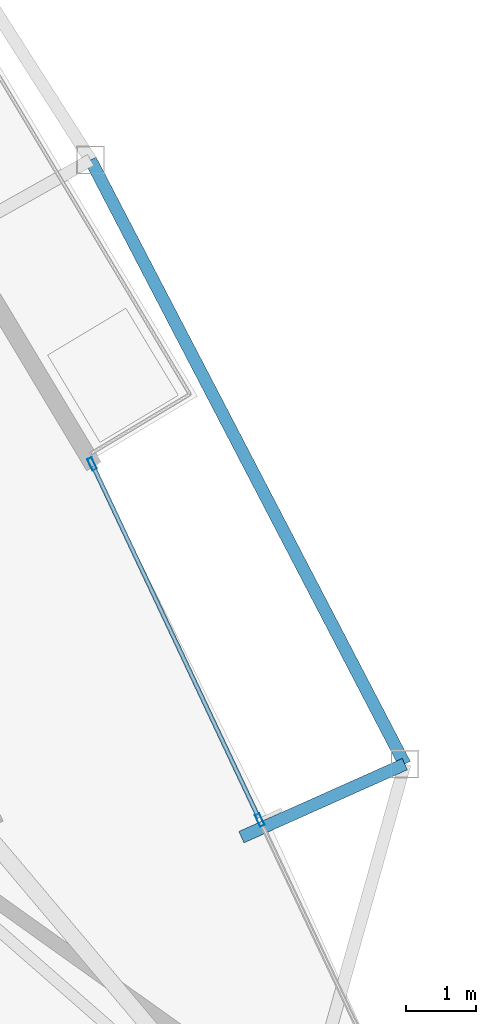
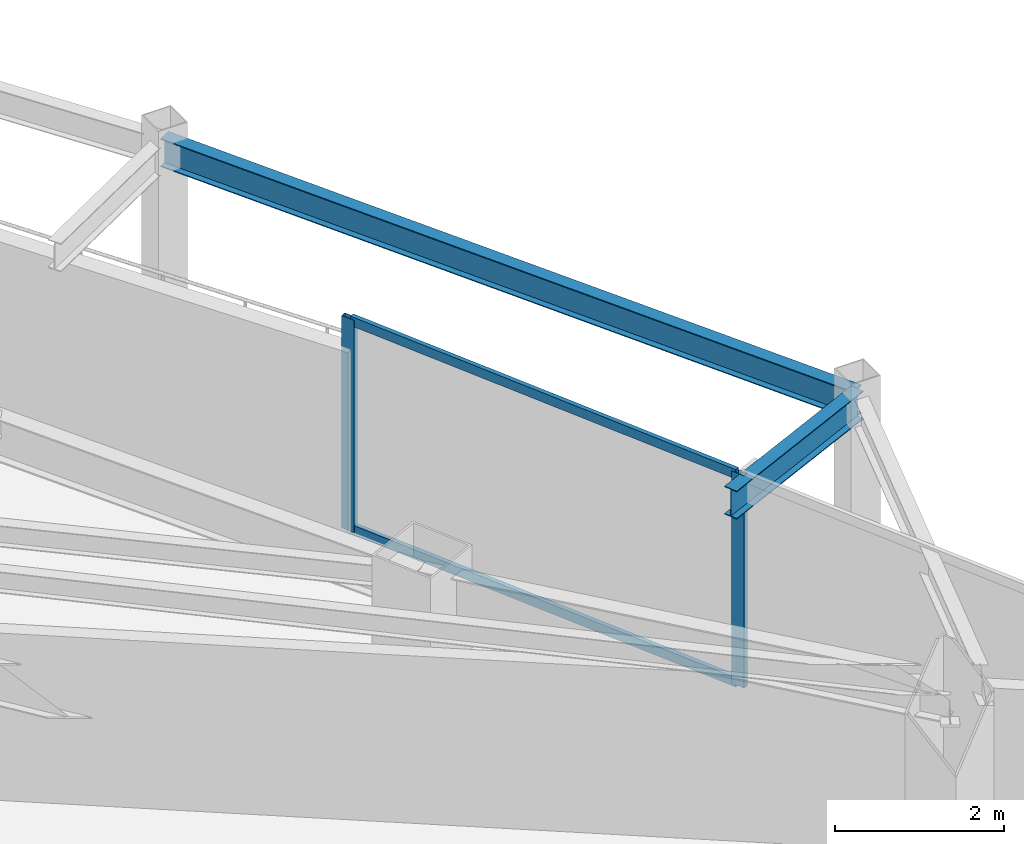
# One storey, part 16 of 30: 4 members, 2 beams, 1 element without a shape of its own.
"""IFC4 building model written with IfcOpenShell, lengths in metres."""

import ifcopenshell
import ifcopenshell.guid

model = None  # the IFC model being written
_history = None  # IfcOwnerHistory: only IFC2X3 demands one
_inside = {}  # id of a spatial element -> (the spatial element, [elements in it])
_under = {}  # id of a project, library or spatial element -> (it, [spatial elements below it])
_declared = {}  # id of a project -> (the project, [libraries it declares])
_typed = {}  # id of a type object -> (the type object, [elements of that type])
_made_of = {}  # id of a material, layer set ... -> (it, [elements and type objects made of it])


def new_model(schema):
    """Start an empty IFC model of exactly this schema.

    Asked for "IFC4X3", IfcOpenShell would pick the latest addendum, in which some entities
    have other attributes; the version numbers below select the first issue.
    IFC2X3 requires an IfcOwnerHistory on every rooted entity: one is made here for all.
    """
    global model, _history
    if schema == "IFC4X3":
        model = ifcopenshell.file(schema_version=(4, 3, 0, 0))
    else:
        model = ifcopenshell.file(schema=schema)
    _inside.clear()
    _under.clear()
    _declared.clear()
    _typed.clear()
    _made_of.clear()
    _history = None
    if model.schema == "IFC2X3":
        org = make("IfcOrganization", Name="unknown")
        user = make(
            "IfcPersonAndOrganization",
            ThePerson=make("IfcPerson", FamilyName="unknown"),
            TheOrganization=org,
        )
        app = make(
            "IfcApplication",
            ApplicationDeveloper=org,
            Version="unknown",
            ApplicationFullName="unknown",
            ApplicationIdentifier="unknown",
        )
        _history = make(
            "IfcOwnerHistory",
            OwningUser=user,
            OwningApplication=app,
            ChangeAction="ADDED",
            CreationDate=0,
        )
    return model


def make(cls, **values):
    """One entity of the class cls with the attributes given. An attribute that is None is left unset."""
    return model.create_entity(
        cls, **{name: value for name, value in values.items() if value is not None}
    )


def rooted(cls, **values):
    """An entity with a GlobalId (a new one), such as an element, a storey or a relation."""
    return make(cls, GlobalId=ifcopenshell.guid.new(), OwnerHistory=_history, **values)


def si_unit(unit_type, name, prefix=None):
    """IfcSIUnit, for example si_unit("LENGTHUNIT", "METRE", prefix="MILLI")."""
    return make("IfcSIUnit", UnitType=unit_type, Prefix=prefix, Name=name)


def assignment(units):
    """IfcUnitAssignment: the units of a project."""
    return None if units is None else make("IfcUnitAssignment", Units=units)


def point(xyz):
    """IfcCartesianPoint."""
    return None if xyz is None else make("IfcCartesianPoint", Coordinates=xyz)


def direction(xyz):
    """IfcDirection."""
    return None if xyz is None else make("IfcDirection", DirectionRatios=xyz)


def frame(location, z_axis=None, x_axis=None):
    """IfcAxis2Placement3D, a coordinate frame: its origin and axes. An axis left out is left unset."""
    return make(
        "IfcAxis2Placement3D",
        Location=point(location),
        Axis=direction(z_axis),
        RefDirection=direction(x_axis),
    )


def frame_2d(location, x_axis=None):
    """IfcAxis2Placement2D, a coordinate frame in the plane: its origin and x axis."""
    return make(
        "IfcAxis2Placement2D", Location=point(location), RefDirection=direction(x_axis)
    )


def origin():
    """The frame at (0, 0, 0) with its axes left unset."""
    return frame((0.0, 0.0, 0.0))


def origin_2d():
    """The frame at (0, 0) in the plane with its x axis left unset."""
    return frame_2d((0.0, 0.0))


def place(relative_to, where):
    """IfcLocalPlacement: puts the frame where relative to a parent placement (None: the world)."""
    return make(
        "IfcLocalPlacement", PlacementRelTo=relative_to, RelativePlacement=where
    )


def context(
    kind, dimensions, precision=None, world=None, true_north=None, identifier=None
):
    """IfcGeometricRepresentationContext, for example the 3D "Model" context."""
    return make(
        "IfcGeometricRepresentationContext",
        ContextIdentifier=identifier,
        ContextType=kind,
        CoordinateSpaceDimension=dimensions,
        Precision=precision,
        WorldCoordinateSystem=world,
        TrueNorth=true_north,
    )


def subcontext(parent, identifier, kind, view, scale=None):
    """IfcGeometricRepresentationSubContext, for example "Body" below "Model"."""
    return make(
        "IfcGeometricRepresentationSubContext",
        ContextIdentifier=identifier,
        ContextType=kind,
        ParentContext=parent,
        TargetScale=scale,
        TargetView=view,
    )


def project(units=None, contexts=None):
    """IfcProject with its units and contexts."""
    return rooted(
        "IfcProject",
        Name="project",
        RepresentationContexts=contexts,
        UnitsInContext=assignment(units),
    )


def spatial(cls, under=None, at=None, **own):
    """A site, building, storey or space (cls), placed at a placement, below another one or the project."""
    s = rooted(cls, ObjectPlacement=at, **own)
    if under is not None:
        _under.setdefault(under.id(), (under, []))[1].append(s)
    return s


def profile(cls, at=None, kind="AREA", **sizes):
    """A parametric profile (cls). Its sizes go by their IFC names, for example OverallWidth=200.0."""
    return make(cls, ProfileType=kind, Position=at, **sizes)


def hollow_rectangle(**sizes):
    """IfcRectangleHollowProfileDef."""
    return profile("IfcRectangleHollowProfileDef", **sizes)


def i_section(**sizes):
    """IfcIShapeProfileDef."""
    return profile("IfcIShapeProfileDef", **sizes)


def extrude(swept, where, along, depth):
    """IfcExtrudedAreaSolid: the profile swept, set in the frame where, extruded along a direction by depth."""
    return make(
        "IfcExtrudedAreaSolid",
        SweptArea=swept,
        Position=where,
        ExtrudedDirection=direction(along),
        Depth=depth,
    )


def shape(context_of_items, identifier, shape_type, items):
    """IfcShapeRepresentation: the items that make up one representation, for example the "Body"."""
    return make(
        "IfcShapeRepresentation",
        ContextOfItems=context_of_items,
        RepresentationIdentifier=identifier,
        RepresentationType=shape_type,
        Items=items,
    )


def material(Name=None, Category=None):
    """IfcMaterial."""
    return make("IfcMaterial", Name=Name, Category=Category)


def layer(
    of_material, thickness, ventilated=None, Name=None, Category=None, Priority=None
):
    """IfcMaterialLayer: one layer of a wall or slab, of a material (None: an air gap)."""
    return make(
        "IfcMaterialLayer",
        Material=of_material,
        LayerThickness=thickness,
        IsVentilated=ventilated,
        Name=Name,
        Category=Category,
        Priority=Priority,
    )


def layer_set(layers, Name=None):
    """IfcMaterialLayerSet."""
    return make("IfcMaterialLayerSet", MaterialLayers=layers, LayerSetName=Name)


def material_profile(
    of_material, cross_section, Name=None, Category=None, Priority=None
):
    """IfcMaterialProfile: a cross section and its material."""
    return make(
        "IfcMaterialProfile",
        Name=Name,
        Material=of_material,
        Profile=cross_section,
        Priority=Priority,
        Category=Category,
    )


def profile_set(profiles, Name=None, composite=None):
    """IfcMaterialProfileSet."""
    return make(
        "IfcMaterialProfileSet",
        Name=Name,
        MaterialProfiles=profiles,
        CompositeProfile=composite,
    )


def made_of(thing, what):
    """Note that an element or type object is made of a material, layer set ...; save() writes the relation."""
    if what is not None:
        _made_of.setdefault(what.id(), (what, []))[1].append(thing)
    return thing


def type_object(cls, material=None, **own):
    """A type object (cls), such as IfcWallType, which elements share."""
    return made_of(rooted(cls, **own), material)


def element(
    cls,
    number,
    at=None,
    inside=None,
    cuts=None,
    type_object=None,
    material=None,
    context=None,
    identifier="Body",
    shape_type=None,
    held_by="IfcProductDefinitionShape",
    body=None,
    shapes=None,
    **own,
):
    """One element of the class cls, such as IfcWall. Its Tag is "e" and its number.

    at: its placement. inside: the storey or other place that contains it. cuts: it is an
    opening in that element (IfcRelVoidsElement). A single representation is given by context,
    identifier, shape_type and body (its items); several are given by shapes. held_by: the class
    of the entity that holds the representations. save() writes the other relations.
    """
    e = rooted(cls, Tag="e%d" % number, ObjectPlacement=at, **own)
    if body is not None:
        shapes = [shape(context, identifier, shape_type, body)]
    if shapes is not None:
        e.Representation = make(held_by, Representations=shapes)
    if inside is not None:
        _inside.setdefault(inside.id(), (inside, []))[1].append(e)
    if cuts is not None:
        rooted(
            "IfcRelVoidsElement", RelatingBuildingElement=cuts, RelatedOpeningElement=e
        )
    if type_object is not None:
        _typed.setdefault(type_object.id(), (type_object, []))[1].append(e)
    return made_of(e, material)


def aggregate(whole, parts):
    """IfcRelAggregates: a whole, such as a stair, and the parts it consists of."""
    return rooted("IfcRelAggregates", RelatingObject=whole, RelatedObjects=parts)


def save(model, path):
    """Write the relations noted so far, then the file.

    IfcRelAggregates (storeys below a building ...), IfcRelContainedInSpatialStructure (elements
    in a storey), IfcRelDefinesByType, IfcRelAssociatesMaterial and IfcRelDeclares: one each for
    every whole, place, type object, material and project.
    """
    for whole, parts in _under.values():
        aggregate(whole, parts)
    for where, things in _inside.values():
        rooted(
            "IfcRelContainedInSpatialStructure",
            RelatedElements=things,
            RelatingStructure=where,
        )
    for kind, things in _typed.values():
        rooted("IfcRelDefinesByType", RelatedObjects=things, RelatingType=kind)
    for what, things in _made_of.values():
        rooted("IfcRelAssociatesMaterial", RelatedObjects=things, RelatingMaterial=what)
    for by, libraries in _declared.values():
        rooted("IfcRelDeclares", RelatingContext=by, RelatedDefinitions=libraries)
    model.write(path)


model = new_model("IFC4")

# Units and contexts
model_context = context("Model", 3, precision=1e-05, world=origin(), true_north=direction((0.0, 1.0)))
body_context = subcontext(model_context, "Body", "Model", "MODEL_VIEW")
ifc_project = project(units=[si_unit("LENGTHUNIT", "METRE"), si_unit("AREAUNIT", "SQUARE_METRE"), si_unit("VOLUMEUNIT", "CUBIC_METRE"), si_unit("PLANEANGLEUNIT", "RADIAN"), si_unit("MASSUNIT", "GRAM", prefix="KILO")], contexts=[model_context])

# Site, building, storey
site_placement = place(None, origin())
site = spatial("IfcSite", under=ifc_project, at=site_placement, CompositionType="ELEMENT")
building_placement = place(site_placement, origin())
building = spatial("IfcBuilding", under=site, at=building_placement, Name="Orvanel Arch Residences", CompositionType="ELEMENT")
storey_placement = place(building_placement, frame((0.0, 0.0, 136.39990234375)))
storey = spatial("IfcBuildingStorey", under=building, at=storey_placement, Name="L38", CompositionType="ELEMENT", Elevation=136.39990234375)

# Curtain wall, members
ifc_material_1 = material(Name="Bronze-anodised aluminium AA6063-T6", Category="aluminium")
ifc_layer = layer(ifc_material_1, 0.179931640625)
ifc_layer_set = layer_set([ifc_layer], Name="Bronze-anodised aluminium AA6063-T6")
curtain_wall_type = type_object("IfcCurtainWallType", Name="CW3-MID-SYS", PredefinedType="NOTDEFINED", material=ifc_layer_set)
curtain_wall_placement = place(storey_placement, origin())
curtain_wall = element("IfcCurtainWall", 1, at=curtain_wall_placement, inside=storey, type_object=curtain_wall_type, Name="L38 CW3-MID-SYS Unitised Curtain Wall", PredefinedType="NOTDEFINED")
ifc_material_profile_1 = material_profile(ifc_material_1, hollow_rectangle(XDim=0.070068359375, YDim=0.179931640625, WallThickness=0.00439453125, at=origin_2d()), Name="ALU180x70x4.5")
ifc_profile_set_1 = profile_set([ifc_material_profile_1], Name="Bronze-anodised aluminium AA6063-T6")
member_type_1 = type_object("IfcMemberType", Name="MUL-180x70", PredefinedType="MULLION", material=ifc_profile_set_1)
member_1_placement = place(storey_placement, frame((53.85498046875, 19.450439453125, 0.0), z_axis=(0.0, 0.0, 1.0), x_axis=(-0.904718317151, -0.426010289326, 0.0)))
member_1 = element("IfcMember", 2, at=member_1_placement, type_object=member_type_1, Name="CW-S3 mullion 2", PredefinedType="MULLION", context=body_context, shape_type="SweptSolid", body=[
    extrude(hollow_rectangle(XDim=0.070068359375, YDim=0.179931640625, WallThickness=0.00439453125, at=origin_2d()), origin(), (0.0, 0.0, 1.0), 3.06005859375),
])
member_2_placement = place(storey_placement, frame((51.46484375, 24.5263671875, 0.0), z_axis=(0.0, 0.0, 1.0), x_axis=(-0.904718317151, -0.426010289326, 0.0)))
member_2 = element("IfcMember", 3, at=member_2_placement, type_object=member_type_1, Name="CW-S3 mullion 3", PredefinedType="MULLION", context=body_context, shape_type="SweptSolid", body=[
    extrude(hollow_rectangle(XDim=0.070068359375, YDim=0.179931640625, WallThickness=0.00439453125, at=origin_2d()), origin(), (0.0, 0.0, 1.0), 3.06005859375),
])

# Beams
ifc_material_2 = material(Name="Structural steel AS/NZS 3679.1 Grade 300 (300 MPa)", Category="steel")
ifc_material_profile_2 = material_profile(ifc_material_2, i_section(OverallWidth=0.177978515625, OverallDepth=0.406005859375, WebThickness=0.0078125, FlangeThickness=0.0126953125, at=origin_2d()), Name="410UB59.7")
ifc_profile_set_2 = profile_set([ifc_material_profile_2], Name="Structural steel AS/NZS 3679.1 Grade 300 (300 MPa)")
beam_type = type_object("IfcBeamType", Name="OB-410UB-EXT", PredefinedType="SPANDREL", material=ifc_profile_set_2)
beam_1_placement = place(storey_placement, frame((53.593017578125, 19.2080078125, 2.857177734375), z_axis=(0.913020092411, 0.407914587695, 0.0), x_axis=(-0.407914587695, 0.913020092411, 0.0)))
element("IfcBeam", 4, at=beam_1_placement, inside=storey, type_object=beam_type, Name="L38 Outer Frame Radial Tie Beam 09", PredefinedType="SPANDREL", context=body_context, shape_type="SweptSolid", body=[
    extrude(i_section(OverallWidth=0.177978515625, OverallDepth=0.406005859375, WebThickness=0.0078125, FlangeThickness=0.0126953125, at=origin_2d()), origin(), (0.0, 0.0, 1.0), 2.549560546875),
])
beam_2_placement = place(storey_placement, frame((55.9208984375, 20.248046875, 2.857177734375), z_axis=(-0.461408987411, 0.88718754857, 0.0), x_axis=(-0.88718754857, -0.461408987411, 0.0)))
element("IfcBeam", 5, at=beam_2_placement, inside=storey, type_object=beam_type, Name="L38 Outer Perimeter Floor Ring Beam 09", PredefinedType="SPANDREL", context=body_context, shape_type="SweptSolid", body=[
    extrude(i_section(OverallWidth=0.177978515625, OverallDepth=0.406005859375, WebThickness=0.0078125, FlangeThickness=0.0126953125, at=origin_2d()), origin(), (0.0, 0.0, 1.0), 9.702392578125),
])

# Member
ifc_material_profile_3 = material_profile(ifc_material_1, hollow_rectangle(XDim=0.06005859375, YDim=0.135009765625, WallThickness=0.00390625, at=origin_2d()), Name="ALU135x60x4")
ifc_profile_set_3 = profile_set([ifc_material_profile_3], Name="Bronze-anodised aluminium AA6063-T6")
member_type_2 = type_object("IfcMemberType", Name="TRN-135x60", PredefinedType="USERDEFINED", material=ifc_profile_set_3)
member_3_placement = place(storey_placement, frame((53.840087890625, 19.482177734375, 0.030029296875), z_axis=(-0.426026213719, 0.904710818563, 0.0), x_axis=(-0.904710818563, -0.426026213719, 0.0)))
member_3 = element("IfcMember", 6, at=member_3_placement, type_object=member_type_2, Name="CW-S3 transom 2.1", ObjectType="TRANSOM", PredefinedType="USERDEFINED", context=body_context, shape_type="SweptSolid", body=[
    extrude(hollow_rectangle(XDim=0.06005859375, YDim=0.135009765625, WallThickness=0.00390625, at=origin_2d()), origin(), (0.0, 0.0, 1.0), 5.540283203125),
])

member_4_placement = place(storey_placement, frame((53.840087890625, 19.482177734375, 3.030029296875), z_axis=(-0.426026213719, 0.904710818563, 0.0), x_axis=(-0.904710818563, -0.426026213719, 0.0)))
member_4 = element("IfcMember", 7, at=member_4_placement, type_object=member_type_2, Name="CW-S3 transom 2.2", ObjectType="TRANSOM", PredefinedType="USERDEFINED", context=body_context, shape_type="SweptSolid", body=[
    extrude(hollow_rectangle(XDim=0.06005859375, YDim=0.135009765625, WallThickness=0.00390625, at=origin_2d()), origin(), (0.0, 0.0, 1.0), 5.540283203125),
])

aggregate(curtain_wall, [member_1, member_2, member_3, member_4])

save(model, "model.ifc")
